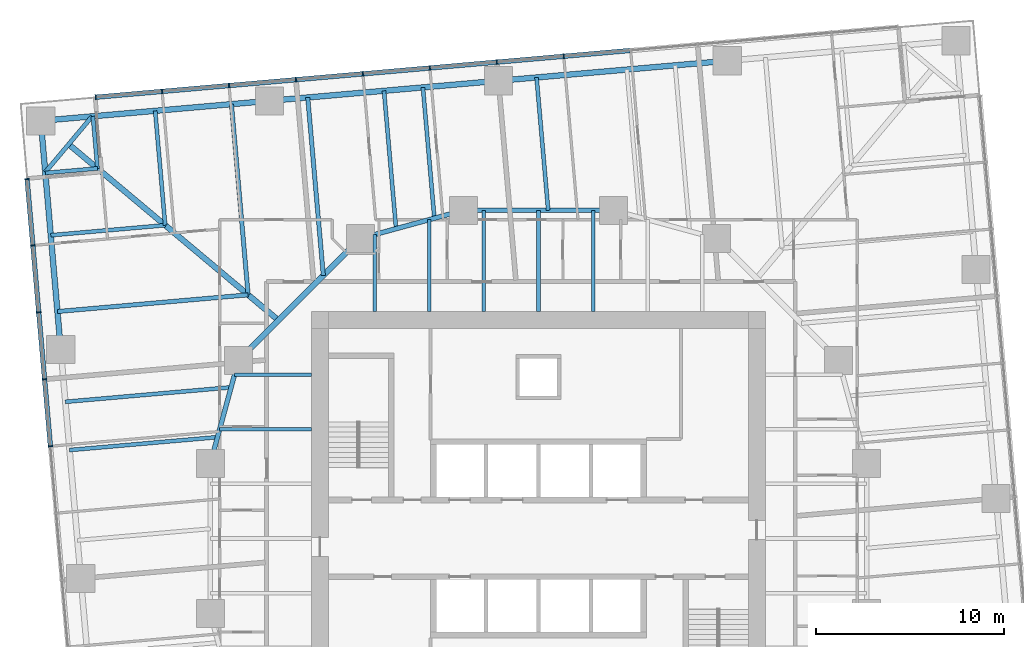
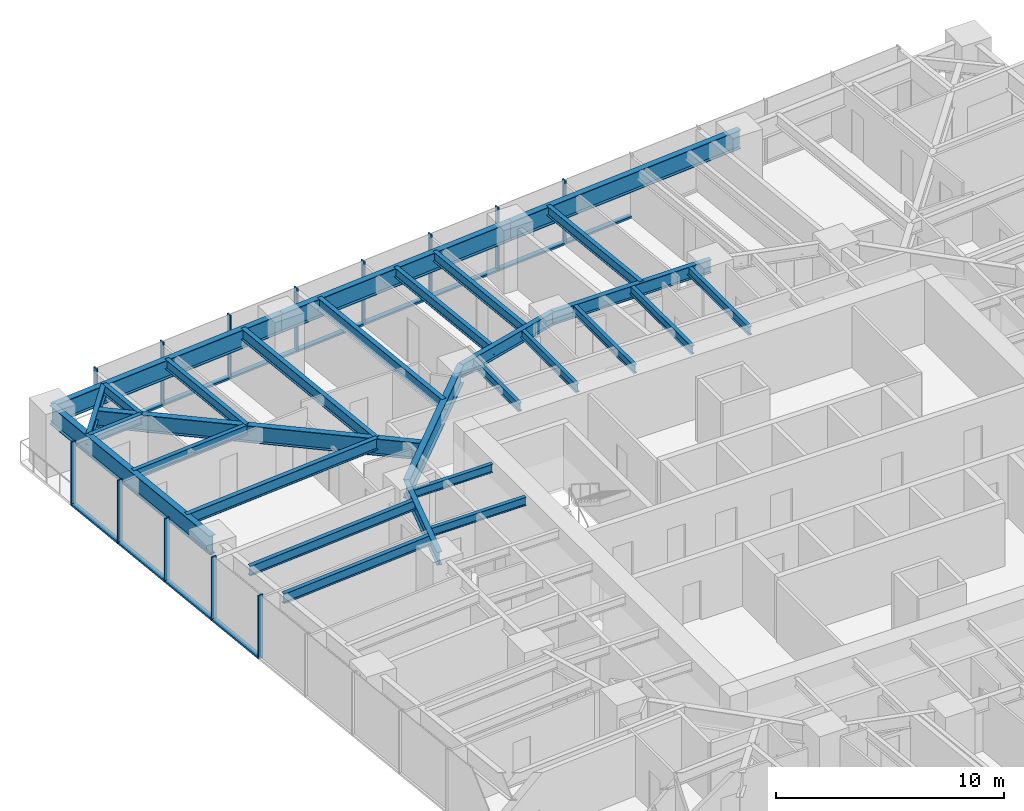
# One storey, part 5 of 14: 29 beams, 25 members, 2 elements without a shape of their own.
"""IFC4 building model written with IfcOpenShell, lengths in metres."""

from ifc_helpers import new_model, si_unit, direction, frame, origin, origin_2d, place, context, subcontext, project, spatial, rectangle, i_section, extrude, material, material_profile, profile_set, type_object, element, aggregate, save


model = new_model("IFC4")

# Units and contexts
model_context = context("Model", 3, precision=1e-05, world=origin(), true_north=direction((0.0, 1.0)))
body_context = subcontext(model_context, "Body", "Model", "MODEL_VIEW")
ifc_project = project(units=[si_unit("LENGTHUNIT", "METRE"), si_unit("AREAUNIT", "SQUARE_METRE"), si_unit("VOLUMEUNIT", "CUBIC_METRE"), si_unit("PLANEANGLEUNIT", "RADIAN"), si_unit("MASSUNIT", "GRAM", prefix="KILO")], contexts=[model_context])

# Site, building, storey
site_placement = place(None, origin())
site = spatial("IfcSite", under=ifc_project, at=site_placement, CompositionType="ELEMENT")
building_placement = place(site_placement, origin())
building = spatial("IfcBuilding", under=site, at=building_placement, Name="Torsade Residences", CompositionType="ELEMENT")
storey_placement = place(building_placement, frame((0.0, 0.0, 47.199951171875)))
storey = spatial("IfcBuildingStorey", under=building, at=storey_placement, Name="L12", CompositionType="ELEMENT", Elevation=47.199951171875)

# Beams
ifc_material_1 = material(Name="Steel grade 300", Category="steel")
ifc_material_profile_1 = material_profile(ifc_material_1, i_section(OverallWidth=0.300048828125, OverallDepth=0.89990234375, WebThickness=0.011962890625, FlangeThickness=0.02490234375, at=origin_2d()), Name="900WB175")
ifc_profile_set_1 = profile_set([ifc_material_profile_1], Name="Steel grade 300")
beam_type_1 = type_object("IfcBeamType", Name="CORNER GIRDER 900WB175", PredefinedType="BEAM", material=ifc_profile_set_1)
beam_1_placement = place(storey_placement, frame((14.947509765625, 51.021484375, 2.800048828125), z_axis=(0.766046281307, -0.642785419012, 0.0), x_axis=(0.642785419012, 0.766046281307, 0.0)))
element("IfcBeam", 1, at=beam_1_placement, inside=storey, type_object=beam_type_1, Name="Corner girder 13 L13", PredefinedType="BEAM", context=body_context, shape_type="SweptSolid", body=[
    extrude(i_section(OverallWidth=0.300048828125, OverallDepth=0.89990234375, WebThickness=0.011962890625, FlangeThickness=0.02490234375, at=origin_2d()), origin(), (0.0, 0.0, 1.0), 14.603515625),
])
ifc_material_2 = material(Name="Steel grade 300", Category="steel")
ifc_material_profile_2 = material_profile(ifc_material_2, i_section(OverallWidth=0.22802734375, OverallDepth=0.60205078125, WebThickness=0.010498046875, FlangeThickness=0.014892578125, FilletRadius=0.013916015625, at=origin_2d()), Name="610UB101")
ifc_profile_set_2 = profile_set([ifc_material_profile_2], Name="Steel grade 300")
beam_type_2 = type_object("IfcBeamType", Name="CORNER TRIMMER 610UB101", PredefinedType="BEAM", material=ifc_profile_set_2)
beam_2_placement = place(storey_placement, frame((13.697509765625, 49.531982421875, 2.948974609375), z_axis=(0.642804819911, 0.766030001697, 0.0), x_axis=(-0.766030001697, 0.642804819911, 0.0)))
element("IfcBeam", 2, at=beam_2_placement, inside=storey, type_object=beam_type_2, Name="Corner trimmer 13 L13", PredefinedType="BEAM", context=body_context, shape_type="SweptSolid", body=[
    extrude(i_section(OverallWidth=0.22802734375, OverallDepth=0.60205078125, WebThickness=0.010498046875, FlangeThickness=0.014892578125, FilletRadius=0.013916015625, at=origin_2d()), origin(), (0.0, 0.0, 1.0), 3.88916015625),
])

# Curtain wall, members
ifc_material_3 = material(Name="Aluminium and glass", Category="aluminium")
curtain_wall_type = type_object("IfcCurtainWallType", Name="FRITTED GLASS CURTAIN WALL LOW ZONE", PredefinedType="NOTDEFINED", material=ifc_material_3)
curtain_wall_1_placement = place(storey_placement, origin())
curtain_wall_1 = element("IfcCurtainWall", 3, at=curtain_wall_1_placement, inside=storey, type_object=curtain_wall_type, Name="Curtain wall L12 face 7", PredefinedType="NOTDEFINED")
ifc_material_4 = material(Name="Aluminium mullion", Category="aluminium")
ifc_material_profile_3 = material_profile(ifc_material_4, rectangle(XDim=0.25, YDim=0.06494140625, at=origin_2d()), Name="CURTAIN WALL MULLION 250x65")
ifc_profile_set_3 = profile_set([ifc_material_profile_3], Name="Aluminium mullion")
member_type_1 = type_object("IfcMemberType", Name="CURTAIN WALL MULLION 250x65", PredefinedType="MULLION", material=ifc_profile_set_3)
member_1_placement = place(storey_placement, frame((41.34716796875, 55.71533203125, 0.0), z_axis=(0.0, 0.0, 1.0), x_axis=(0.087155744208, -0.996194697964, 0.0)))
member_1 = element("IfcMember", 4, at=member_1_placement, type_object=member_type_1, Name="Mullion 6", PredefinedType="MULLION", context=body_context, shape_type="SweptSolid", body=[
    extrude(rectangle(XDim=0.25, YDim=0.06494140625, at=origin_2d()), origin(), (0.0, 0.0, 1.0), 3.400146484375),
])
member_2_placement = place(storey_placement, frame((37.777587890625, 55.403076171875, 0.0), z_axis=(0.0, 0.0, 1.0), x_axis=(0.087155744208, -0.996194697964, 0.0)))
member_2 = element("IfcMember", 5, at=member_2_placement, type_object=member_type_1, Name="Mullion 7", PredefinedType="MULLION", context=body_context, shape_type="SweptSolid", body=[
    extrude(rectangle(XDim=0.25, YDim=0.06494140625, at=origin_2d()), origin(), (0.0, 0.0, 1.0), 3.400146484375),
])
member_3_placement = place(storey_placement, frame((34.207763671875, 55.090576171875, 0.0), z_axis=(0.0, 0.0, 1.0), x_axis=(0.087155744208, -0.996194697964, 0.0)))
member_3 = element("IfcMember", 6, at=member_3_placement, type_object=member_type_1, Name="Mullion 8", PredefinedType="MULLION", context=body_context, shape_type="SweptSolid", body=[
    extrude(rectangle(XDim=0.25, YDim=0.06494140625, at=origin_2d()), origin(), (0.0, 0.0, 1.0), 3.400146484375),
])
member_4_placement = place(storey_placement, frame((30.63818359375, 54.7783203125, 0.0), z_axis=(0.0, 0.0, 1.0), x_axis=(0.087155744208, -0.996194697964, 0.0)))
member_4 = element("IfcMember", 7, at=member_4_placement, type_object=member_type_1, Name="Mullion 9", PredefinedType="MULLION", context=body_context, shape_type="SweptSolid", body=[
    extrude(rectangle(XDim=0.25, YDim=0.06494140625, at=origin_2d()), origin(), (0.0, 0.0, 1.0), 3.400146484375),
])
member_5_placement = place(storey_placement, frame((27.068359375, 54.466064453125, 0.0), z_axis=(0.0, 0.0, 1.0), x_axis=(0.087155744208, -0.996194697964, 0.0)))
member_5 = element("IfcMember", 8, at=member_5_placement, type_object=member_type_1, Name="Mullion 10", PredefinedType="MULLION", context=body_context, shape_type="SweptSolid", body=[
    extrude(rectangle(XDim=0.25, YDim=0.06494140625, at=origin_2d()), origin(), (0.0, 0.0, 1.0), 3.400146484375),
])
member_6_placement = place(storey_placement, frame((23.498779296875, 54.15380859375, 0.0), z_axis=(0.0, 0.0, 1.0), x_axis=(0.087155744208, -0.996194697964, 0.0)))
member_6 = element("IfcMember", 9, at=member_6_placement, type_object=member_type_1, Name="Mullion 11", PredefinedType="MULLION", context=body_context, shape_type="SweptSolid", body=[
    extrude(rectangle(XDim=0.25, YDim=0.06494140625, at=origin_2d()), origin(), (0.0, 0.0, 1.0), 3.400146484375),
])
member_7_placement = place(storey_placement, frame((19.928955078125, 53.84130859375, 0.0), z_axis=(0.0, 0.0, 1.0), x_axis=(0.087155744208, -0.996194697964, 0.0)))
member_7 = element("IfcMember", 10, at=member_7_placement, type_object=member_type_1, Name="Mullion 12", PredefinedType="MULLION", context=body_context, shape_type="SweptSolid", body=[
    extrude(rectangle(XDim=0.25, YDim=0.06494140625, at=origin_2d()), origin(), (0.0, 0.0, 1.0), 3.400146484375),
])
member_8_placement = place(storey_placement, frame((16.3916015625, 53.531982421875, 0.0), z_axis=(0.0, 0.0, 1.0), x_axis=(0.087155744208, -0.996194697964, 0.0)))
member_8 = element("IfcMember", 11, at=member_8_placement, type_object=member_type_1, Name="Mullion 13", PredefinedType="MULLION", context=body_context, shape_type="SweptSolid", body=[
    extrude(rectangle(XDim=0.25, YDim=0.06494140625, at=origin_2d()), origin(), (0.0, 0.0, 1.0), 3.400146484375),
])

curtain_wall_2_placement = place(storey_placement, origin())
curtain_wall_2 = element("IfcCurtainWall", 12, at=curtain_wall_2_placement, inside=storey, type_object=curtain_wall_type, Name="Curtain wall L12 face 10", PredefinedType="NOTDEFINED")
member_9_placement = place(storey_placement, frame((12.72607421875, 49.163330078125, 0.0), z_axis=(0.0, 0.0, 1.0), x_axis=(0.996194697964, 0.087155744208, 0.0)))
member_9 = element("IfcMember", 13, at=member_9_placement, type_object=member_type_1, Name="Mullion 1", PredefinedType="MULLION", context=body_context, shape_type="SweptSolid", body=[
    extrude(rectangle(XDim=0.25, YDim=0.06494140625, at=origin_2d()), origin(), (0.0, 0.0, 1.0), 3.400146484375),
])
member_10_placement = place(storey_placement, frame((13.035400390625, 45.6259765625, 0.0), z_axis=(0.0, 0.0, 1.0), x_axis=(0.996194697964, 0.087155744208, 0.0)))
member_10 = element("IfcMember", 14, at=member_10_placement, type_object=member_type_1, Name="Mullion 2", PredefinedType="MULLION", context=body_context, shape_type="SweptSolid", body=[
    extrude(rectangle(XDim=0.25, YDim=0.06494140625, at=origin_2d()), origin(), (0.0, 0.0, 1.0), 3.400146484375),
])
member_11_placement = place(storey_placement, frame((13.347900390625, 42.056396484375, 0.0), z_axis=(0.0, 0.0, 1.0), x_axis=(0.996194697964, 0.087155744208, 0.0)))
member_11 = element("IfcMember", 15, at=member_11_placement, type_object=member_type_1, Name="Mullion 3", PredefinedType="MULLION", context=body_context, shape_type="SweptSolid", body=[
    extrude(rectangle(XDim=0.25, YDim=0.06494140625, at=origin_2d()), origin(), (0.0, 0.0, 1.0), 3.400146484375),
])
member_12_placement = place(storey_placement, frame((13.66015625, 38.486572265625, 0.0), z_axis=(0.0, 0.0, 1.0), x_axis=(0.996194697964, 0.087155744208, 0.0)))
member_12 = element("IfcMember", 16, at=member_12_placement, type_object=member_type_1, Name="Mullion 4", PredefinedType="MULLION", context=body_context, shape_type="SweptSolid", body=[
    extrude(rectangle(XDim=0.25, YDim=0.06494140625, at=origin_2d()), origin(), (0.0, 0.0, 1.0), 3.400146484375),
])
member_13_placement = place(storey_placement, frame((13.972412109375, 34.9169921875, 0.0), z_axis=(0.0, 0.0, 1.0), x_axis=(0.996194697964, 0.087155744208, 0.0)))
member_13 = element("IfcMember", 17, at=member_13_placement, type_object=member_type_1, Name="Mullion 5", PredefinedType="MULLION", context=body_context, shape_type="SweptSolid", body=[
    extrude(rectangle(XDim=0.25, YDim=0.06494140625, at=origin_2d()), origin(), (0.0, 0.0, 1.0), 3.400146484375),
])

# Member
ifc_material_5 = material(Name="Aluminium transom", Category="aluminium")
ifc_material_profile_4 = material_profile(ifc_material_5, rectangle(XDim=0.25, YDim=0.10009765625, at=origin_2d()), Name="CURTAIN WALL TRANSOM 250x100")
ifc_profile_set_4 = profile_set([ifc_material_profile_4], Name="Aluminium transom")
member_type_2 = type_object("IfcMemberType", Name="CURTAIN WALL TRANSOM 250x100", PredefinedType="USERDEFINED", material=ifc_profile_set_4)
member_14_placement = place(storey_placement, frame((44.884521484375, 56.024658203125, 0.050048828125), z_axis=(-0.996194621295, -0.087156620531, 0.0), x_axis=(0.087156620531, -0.996194621295, 0.0)))
member_14 = element("IfcMember", 18, at=member_14_placement, type_object=member_type_2, Name="Transom 5.1", ObjectType="TRANSOM", PredefinedType="USERDEFINED", context=body_context, shape_type="SweptSolid", body=[
    extrude(rectangle(XDim=0.25, YDim=0.10009765625, at=origin_2d()), origin(), (0.0, 0.0, 1.0), 3.518310546875),
])

member_15_placement = place(storey_placement, frame((41.31494140625, 55.71240234375, 0.050048828125), z_axis=(-0.996195148363, -0.08715059597, 0.0), x_axis=(0.08715059597, -0.996195148363, 0.0)))
member_15 = element("IfcMember", 19, at=member_15_placement, type_object=member_type_2, Name="Transom 6.1", ObjectType="TRANSOM", PredefinedType="USERDEFINED", context=body_context, shape_type="SweptSolid", body=[
    extrude(rectangle(XDim=0.25, YDim=0.10009765625, at=origin_2d()), origin(), (0.0, 0.0, 1.0), 3.5185546875),
])

member_16_placement = place(storey_placement, frame((37.7451171875, 55.400146484375, 0.050048828125), z_axis=(-0.996194621295, -0.087156620531, 0.0), x_axis=(0.087156620531, -0.996194621295, 0.0)))
member_16 = element("IfcMember", 20, at=member_16_placement, type_object=member_type_2, Name="Transom 7.1", ObjectType="TRANSOM", PredefinedType="USERDEFINED", context=body_context, shape_type="SweptSolid", body=[
    extrude(rectangle(XDim=0.25, YDim=0.10009765625, at=origin_2d()), origin(), (0.0, 0.0, 1.0), 3.518310546875),
])

member_17_placement = place(storey_placement, frame((34.175537109375, 55.087890625, 0.050048828125), z_axis=(-0.996195148363, -0.08715059597, 0.0), x_axis=(0.08715059597, -0.996195148363, 0.0)))
member_17 = element("IfcMember", 21, at=member_17_placement, type_object=member_type_2, Name="Transom 8.1", ObjectType="TRANSOM", PredefinedType="USERDEFINED", context=body_context, shape_type="SweptSolid", body=[
    extrude(rectangle(XDim=0.25, YDim=0.10009765625, at=origin_2d()), origin(), (0.0, 0.0, 1.0), 3.5185546875),
])

member_18_placement = place(storey_placement, frame((30.605712890625, 54.775634765625, 0.050048828125), z_axis=(-0.996194621295, -0.087156620531, 0.0), x_axis=(0.087156620531, -0.996194621295, 0.0)))
member_18 = element("IfcMember", 22, at=member_18_placement, type_object=member_type_2, Name="Transom 9.1", ObjectType="TRANSOM", PredefinedType="USERDEFINED", context=body_context, shape_type="SweptSolid", body=[
    extrude(rectangle(XDim=0.25, YDim=0.10009765625, at=origin_2d()), origin(), (0.0, 0.0, 1.0), 3.518310546875),
])

member_19_placement = place(storey_placement, frame((27.0361328125, 54.463134765625, 0.050048828125), z_axis=(-0.996195148363, -0.08715059597, 0.0), x_axis=(0.08715059597, -0.996195148363, 0.0)))
member_19 = element("IfcMember", 23, at=member_19_placement, type_object=member_type_2, Name="Transom 10.1", ObjectType="TRANSOM", PredefinedType="USERDEFINED", context=body_context, shape_type="SweptSolid", body=[
    extrude(rectangle(XDim=0.25, YDim=0.10009765625, at=origin_2d()), origin(), (0.0, 0.0, 1.0), 3.5185546875),
])

member_20_placement = place(storey_placement, frame((23.46630859375, 54.15087890625, 0.050048828125), z_axis=(-0.996194621295, -0.087156620531, 0.0), x_axis=(0.087156620531, -0.996194621295, 0.0)))
member_20 = element("IfcMember", 24, at=member_20_placement, type_object=member_type_2, Name="Transom 11.1", ObjectType="TRANSOM", PredefinedType="USERDEFINED", context=body_context, shape_type="SweptSolid", body=[
    extrude(rectangle(XDim=0.25, YDim=0.10009765625, at=origin_2d()), origin(), (0.0, 0.0, 1.0), 3.518310546875),
])

member_21_placement = place(storey_placement, frame((19.896728515625, 53.838623046875, 0.050048828125), z_axis=(-0.996191284475, -0.08719475177, 0.0), x_axis=(0.08719475177, -0.996191284475, 0.0)))
member_21 = element("IfcMember", 25, at=member_21_placement, type_object=member_type_2, Name="Transom 12.1", ObjectType="TRANSOM", PredefinedType="USERDEFINED", context=body_context, shape_type="SweptSolid", body=[
    extrude(rectangle(XDim=0.25, YDim=0.10009765625, at=origin_2d()), origin(), (0.0, 0.0, 1.0), 3.48583984375),
])

aggregate(curtain_wall_1, [member_1, member_2, member_3, member_4, member_5, member_6, member_7, member_8, member_14, member_15, member_16, member_17, member_18, member_19, member_20, member_21])

member_22_placement = place(storey_placement, frame((12.728759765625, 49.130859375, 0.050048828125), z_axis=(0.0872008357, -0.996190751941, 0.0), x_axis=(0.996190751941, 0.0872008357, 0.0)))
member_22 = element("IfcMember", 26, at=member_22_placement, type_object=member_type_2, Name="Transom 1.1", ObjectType="TRANSOM", PredefinedType="USERDEFINED", context=body_context, shape_type="SweptSolid", body=[
    extrude(rectangle(XDim=0.25, YDim=0.10009765625, at=origin_2d()), origin(), (0.0, 0.0, 1.0), 3.485595703125),
])

member_23_placement = place(storey_placement, frame((13.038330078125, 45.59375, 0.050048828125), z_axis=(0.08715059597, -0.996195148363, 0.0), x_axis=(0.996195148363, 0.08715059597, 0.0)))
member_23 = element("IfcMember", 27, at=member_23_placement, type_object=member_type_2, Name="Transom 2.1", ObjectType="TRANSOM", PredefinedType="USERDEFINED", context=body_context, shape_type="SweptSolid", body=[
    extrude(rectangle(XDim=0.25, YDim=0.10009765625, at=origin_2d()), origin(), (0.0, 0.0, 1.0), 3.5185546875),
])

member_24_placement = place(storey_placement, frame((13.3505859375, 42.02392578125, 0.050048828125), z_axis=(0.087156620531, -0.996194621295, 0.0), x_axis=(0.996194621295, 0.087156620531, 0.0)))
member_24 = element("IfcMember", 28, at=member_24_placement, type_object=member_type_2, Name="Transom 3.1", ObjectType="TRANSOM", PredefinedType="USERDEFINED", context=body_context, shape_type="SweptSolid", body=[
    extrude(rectangle(XDim=0.25, YDim=0.10009765625, at=origin_2d()), origin(), (0.0, 0.0, 1.0), 3.518310546875),
])

member_25_placement = place(storey_placement, frame((13.662841796875, 38.454345703125, 0.050048828125), z_axis=(0.08715059597, -0.996195148363, 0.0), x_axis=(0.996195148363, 0.08715059597, 0.0)))
member_25 = element("IfcMember", 29, at=member_25_placement, type_object=member_type_2, Name="Transom 4.1", ObjectType="TRANSOM", PredefinedType="USERDEFINED", context=body_context, shape_type="SweptSolid", body=[
    extrude(rectangle(XDim=0.25, YDim=0.10009765625, at=origin_2d()), origin(), (0.0, 0.0, 1.0), 3.5185546875),
])

aggregate(curtain_wall_2, [member_9, member_10, member_11, member_12, member_13, member_22, member_23, member_24, member_25])

# Beams
ifc_material_6 = material(Name="Steel grade 300", Category="steel")
ifc_material_profile_5 = material_profile(ifc_material_6, i_section(OverallWidth=0.300048828125, OverallDepth=1.0, WebThickness=0.01611328125, FlangeThickness=0.028076171875, at=origin_2d()), Name="1000WB215")
ifc_profile_set_5 = profile_set([ifc_material_profile_5], Name="Steel grade 300")
beam_type_3 = type_object("IfcBeamType", Name="EDGE BEAM 1000WB215", PredefinedType="SPANDREL", material=ifc_profile_set_5)
for number, where, z_axis, x_axis, name in (
    (30, (50.068115234375, 55.474365234375, 2.75), (-0.996194907201, -0.08715335259, 0.0), (0.08715335259, -0.996194907201, 0.0), "Edge beam 10 L13"),
    (31, (37.86474609375, 54.40673828125, 2.75), (-0.996194907201, -0.08715335259, 0.0), (0.08715335259, -0.996194907201, 0.0), "Edge beam 11 L13"),
    (32, (25.661376953125, 53.339111328125, 2.75), (-0.996194907201, -0.08715335259, 0.0), (0.08715335259, -0.996194907201, 0.0), "Edge beam 12 L13"),
    (33, (13.4580078125, 52.271484375, 2.75), (0.08715335259, -0.996194907201, 0.0), (0.996194907201, 0.08715335259, 0.0), "Edge beam 13 L13"),
):
    element("IfcBeam", number, at=place(storey_placement, frame(where, z_axis=z_axis, x_axis=x_axis)), inside=storey, type_object=beam_type_3, Name=name, PredefinedType="SPANDREL", context=body_context, shape_type="SweptSolid", body=[
        extrude(i_section(OverallWidth=0.300048828125, OverallDepth=1.0, WebThickness=0.01611328125, FlangeThickness=0.028076171875, at=origin_2d()), origin(), (0.0, 0.0, 1.0), 12.25),
    ])
ifc_material_7 = material(Name="Steel grade 300", Category="steel")
ifc_material_profile_6 = material_profile(ifc_material_7, i_section(OverallWidth=0.18994140625, OverallDepth=0.4541015625, WebThickness=0.008544921875, FlangeThickness=0.0126953125, FilletRadius=0.011474609375, at=origin_2d()), Name="460UB67.1")
ifc_profile_set_6 = profile_set([ifc_material_profile_6], Name="Steel grade 300")
beam_type_4 = type_object("IfcBeamType", Name="INNER FLOOR BEAM 460UB67.1", PredefinedType="JOIST", material=ifc_profile_set_6)
beam_3_placement = place(storey_placement, frame((31.262451171875, 42.10009765625, 3.02294921875), z_axis=(0.0, 1.0, 0.0), x_axis=(-1.0, 0.0, 0.0)))
element("IfcBeam", 34, at=beam_3_placement, inside=storey, type_object=beam_type_4, Name="Inner floor beam IN01 L13", PredefinedType="JOIST", context=body_context, shape_type="SweptSolid", body=[
    extrude(i_section(OverallWidth=0.18994140625, OverallDepth=0.4541015625, WebThickness=0.008544921875, FlangeThickness=0.0126953125, FilletRadius=0.011474609375, at=origin_2d()), origin(), (0.0, 0.0, 1.0), 4.10791015625),
])
beam_4_placement = place(storey_placement, frame((34.175048828125, 42.10009765625, 3.02294921875), z_axis=(0.0, 1.0, 0.0), x_axis=(-1.0, 0.0, 0.0)))
element("IfcBeam", 35, at=beam_4_placement, inside=storey, type_object=beam_type_4, Name="Inner floor beam IN02 L13", PredefinedType="JOIST", context=body_context, shape_type="SweptSolid", body=[
    extrude(i_section(OverallWidth=0.18994140625, OverallDepth=0.4541015625, WebThickness=0.008544921875, FlangeThickness=0.0126953125, FilletRadius=0.011474609375, at=origin_2d()), origin(), (0.0, 0.0, 1.0), 4.902099609375),
])
for number, where, z_axis, x_axis, name in (
    (36, (37.08740234375, 42.10009765625, 3.02294921875), (0.0, 1.0, 0.0), (-1.0, 0.0, 0.0), "Inner floor beam IN03 L13"),
    (37, (40.0, 42.10009765625, 3.02294921875), (0.0, 1.0, 0.0), (-1.0, 0.0, 0.0), "Inner floor beam IN04 L13"),
    (38, (42.91259765625, 42.10009765625, 3.02294921875), (0.0, 1.0, 0.0), (-1.0, 0.0, 0.0), "Inner floor beam IN05 L13"),
):
    element("IfcBeam", number, at=place(storey_placement, frame(where, z_axis=z_axis, x_axis=x_axis)), inside=storey, type_object=beam_type_4, Name=name, PredefinedType="JOIST", context=body_context, shape_type="SweptSolid", body=[
        extrude(i_section(OverallWidth=0.18994140625, OverallDepth=0.4541015625, WebThickness=0.008544921875, FlangeThickness=0.0126953125, FilletRadius=0.011474609375, at=origin_2d()), origin(), (0.0, 0.0, 1.0), 5.39990234375),
    ])
beam_5_placement = place(storey_placement, frame((27.89990234375, 38.737548828125, 3.02294921875), z_axis=(-1.0, 0.0, 0.0), x_axis=(0.0, -1.0, 0.0)))
element("IfcBeam", 39, at=beam_5_placement, inside=storey, type_object=beam_type_4, Name="Inner floor beam IW01 L13", PredefinedType="JOIST", context=body_context, shape_type="SweptSolid", body=[
    extrude(i_section(OverallWidth=0.18994140625, OverallDepth=0.4541015625, WebThickness=0.008544921875, FlangeThickness=0.0126953125, FilletRadius=0.011474609375, at=origin_2d()), origin(), (0.0, 0.0, 1.0), 4.10791015625),
])
beam_6_placement = place(storey_placement, frame((27.89990234375, 35.824951171875, 3.02294921875), z_axis=(-1.0, 0.0, 0.0), x_axis=(0.0, -1.0, 0.0)))
element("IfcBeam", 40, at=beam_6_placement, inside=storey, type_object=beam_type_4, Name="Inner floor beam IW02 L13", PredefinedType="JOIST", context=body_context, shape_type="SweptSolid", body=[
    extrude(i_section(OverallWidth=0.18994140625, OverallDepth=0.4541015625, WebThickness=0.008544921875, FlangeThickness=0.0126953125, FilletRadius=0.011474609375, at=origin_2d()), origin(), (0.0, 0.0, 1.0), 4.902099609375),
])
ifc_material_8 = material(Name="Steel grade 300", Category="steel")
ifc_material_profile_7 = material_profile(ifc_material_8, i_section(OverallWidth=0.300048828125, OverallDepth=1.0, WebThickness=0.01611328125, FlangeThickness=0.028076171875, at=origin_2d()), Name="1000WB215")
ifc_profile_set_7 = profile_set([ifc_material_profile_7], Name="Steel grade 300")
beam_type_5 = type_object("IfcBeamType", Name="RING CORNER GIRDER 1000WB215", PredefinedType="BEAM", material=ifc_profile_set_7)
beam_7_placement = place(storey_placement, frame((30.5, 46.0, 2.75), z_axis=(-0.707106781187, -0.707106781187, 0.0), x_axis=(0.707106781187, -0.707106781187, 0.0)))
element("IfcBeam", 41, at=beam_7_placement, inside=storey, type_object=beam_type_5, Name="Ring girder IR07 L13", PredefinedType="BEAM", context=body_context, shape_type="SweptSolid", body=[
    extrude(i_section(OverallWidth=0.300048828125, OverallDepth=1.0, WebThickness=0.01611328125, FlangeThickness=0.028076171875, at=origin_2d()), origin(), (0.0, 0.0, 1.0), 9.1923828125),
])
ifc_material_9 = material(Name="Steel grade 300", Category="steel")
ifc_material_profile_8 = material_profile(ifc_material_9, i_section(OverallWidth=0.25, OverallDepth=0.699951171875, WebThickness=0.010009765625, FlangeThickness=0.02001953125, at=origin_2d()), Name="700WB130")
ifc_profile_set_8 = profile_set([ifc_material_profile_8], Name="Steel grade 300")
beam_type_6 = type_object("IfcBeamType", Name="RING GIRDER 700WB130", PredefinedType="BEAM", material=ifc_profile_set_8)
beam_8_placement = place(storey_placement, frame((44.0, 47.5, 2.900146484375), z_axis=(-1.0, 0.0, 0.0), x_axis=(0.0, -1.0, 0.0)))
element("IfcBeam", 42, at=beam_8_placement, inside=storey, type_object=beam_type_6, Name="Ring girder IR05 L13", PredefinedType="BEAM", context=body_context, shape_type="SweptSolid", body=[
    extrude(i_section(OverallWidth=0.25, OverallDepth=0.699951171875, WebThickness=0.010009765625, FlangeThickness=0.02001953125, at=origin_2d()), origin(), (0.0, 0.0, 1.0), 8.0),
])
for number, where, z_axis, x_axis, name in (
    (43, (36.0, 47.5, 2.900146484375), (-0.964763821238, -0.263117405792, 0.0), (0.263117405792, -0.964763821238, 0.0), "Ring girder IR06 L13"),
    (44, (24.0, 39.5, 2.900146484375), (-0.263117405792, -0.964763821238, 0.0), (0.964763821238, -0.263117405792, 0.0), "Ring girder IR08 L13"),
):
    element("IfcBeam", number, at=place(storey_placement, frame(where, z_axis=z_axis, x_axis=x_axis)), inside=storey, type_object=beam_type_6, Name=name, PredefinedType="BEAM", context=body_context, shape_type="SweptSolid", body=[
        extrude(i_section(OverallWidth=0.25, OverallDepth=0.699951171875, WebThickness=0.010009765625, FlangeThickness=0.02001953125, at=origin_2d()), origin(), (0.0, 0.0, 1.0), 5.700927734375),
    ])
ifc_material_10 = material(Name="Steel grade 300", Category="steel")
ifc_material_profile_9 = material_profile(ifc_material_10, i_section(OverallWidth=0.208984375, OverallDepth=0.528076171875, WebThickness=0.009521484375, FlangeThickness=0.01318359375, FilletRadius=0.013916015625, at=origin_2d()), Name="530UB82.0")
ifc_profile_set_9 = profile_set([ifc_material_profile_9], Name="Steel grade 300")
beam_type_7 = type_object("IfcBeamType", Name="SECONDARY BEAM 530UB82.0", PredefinedType="JOIST", material=ifc_profile_set_9)
beam_9_placement = place(storey_placement, frame((39.898681640625, 54.584716796875, 2.986083984375), z_axis=(0.087127345813, -0.996197182094, 0.0), x_axis=(0.996197182094, 0.087127345813, 0.0)))
element("IfcBeam", 45, at=beam_9_placement, inside=storey, type_object=beam_type_7, Name="Floor beam FN06 L13", PredefinedType="JOIST", context=body_context, shape_type="SweptSolid", body=[
    extrude(i_section(OverallWidth=0.208984375, OverallDepth=0.528076171875, WebThickness=0.009521484375, FlangeThickness=0.01318359375, FilletRadius=0.013916015625, at=origin_2d()), origin(), (0.0, 0.0, 1.0), 7.11181640625),
])
beam_10_placement = place(storey_placement, frame((33.83837890625, 54.054443359375, 2.986083984375), z_axis=(0.087175598142, -0.99619296077, 0.0), x_axis=(0.99619296077, 0.087175598142, 0.0)))
element("IfcBeam", 46, at=beam_10_placement, inside=storey, type_object=beam_type_7, Name="Floor beam FN07 L13", PredefinedType="JOIST", context=body_context, shape_type="SweptSolid", body=[
    extrude(i_section(OverallWidth=0.208984375, OverallDepth=0.528076171875, WebThickness=0.009521484375, FlangeThickness=0.01318359375, FilletRadius=0.013916015625, at=origin_2d()), origin(), (0.0, 0.0, 1.0), 7.004150390625),
])
beam_11_placement = place(storey_placement, frame((31.762939453125, 53.873046875, 2.986083984375), z_axis=(0.087156282128, -0.996194650902, 0.0), x_axis=(0.996194650902, 0.087156282128, 0.0)))
element("IfcBeam", 47, at=beam_11_placement, inside=storey, type_object=beam_type_7, Name="Floor beam FN08 L13", PredefinedType="JOIST", context=body_context, shape_type="SweptSolid", body=[
    extrude(i_section(OverallWidth=0.208984375, OverallDepth=0.528076171875, WebThickness=0.009521484375, FlangeThickness=0.01318359375, FilletRadius=0.013916015625, at=origin_2d()), origin(), (0.0, 0.0, 1.0), 7.381103515625),
])
beam_12_placement = place(storey_placement, frame((19.5595703125, 52.80517578125, 2.986083984375), z_axis=(0.087174861801, -0.996193025206, 0.0), x_axis=(0.996193025206, 0.087174861801, 0.0)))
element("IfcBeam", 48, at=beam_12_placement, inside=storey, type_object=beam_type_7, Name="Floor beam FN11 L13", PredefinedType="JOIST", context=body_context, shape_type="SweptSolid", body=[
    extrude(i_section(OverallWidth=0.208984375, OverallDepth=0.528076171875, WebThickness=0.009521484375, FlangeThickness=0.01318359375, FilletRadius=0.013916015625, at=origin_2d()), origin(), (0.0, 0.0, 1.0), 6.125),
])
for number, where, z_axis, x_axis, name in (
    (49, (16.239013671875, 52.5146484375, 2.986083984375), (0.087105111923, -0.996199126418, 0.0), (0.996199126418, 0.087105111923, 0.0), "Floor beam FN12 L13"),
    (50, (13.701171875, 49.490478515625, 2.986083984375), (0.996199126418, 0.087105111923, 0.0), (-0.087105111923, 0.996199126418, 0.0), "Floor beam FW01 L13"),
):
    element("IfcBeam", number, at=place(storey_placement, frame(where, z_axis=z_axis, x_axis=x_axis)), inside=storey, type_object=beam_type_7, Name=name, PredefinedType="JOIST", context=body_context, shape_type="SweptSolid", body=[
        extrude(i_section(OverallWidth=0.208984375, OverallDepth=0.528076171875, WebThickness=0.009521484375, FlangeThickness=0.01318359375, FilletRadius=0.013916015625, at=origin_2d()), origin(), (0.0, 0.0, 1.0), 2.79150390625),
    ])
beam_13_placement = place(storey_placement, frame((13.99169921875, 46.169677734375, 2.986083984375), z_axis=(0.996193328106, 0.087171400335, 0.0), x_axis=(-0.087171400335, 0.996193328106, 0.0)))
element("IfcBeam", 51, at=beam_13_placement, inside=storey, type_object=beam_type_7, Name="Floor beam FW02 L13", PredefinedType="JOIST", context=body_context, shape_type="SweptSolid", body=[
    extrude(i_section(OverallWidth=0.208984375, OverallDepth=0.528076171875, WebThickness=0.009521484375, FlangeThickness=0.01318359375, FilletRadius=0.013916015625, at=origin_2d()), origin(), (0.0, 0.0, 1.0), 6.125244140625),
])
beam_14_placement = place(storey_placement, frame((14.768798828125, 37.287109375, 2.986083984375), z_axis=(0.996195539225, 0.08714612802, 0.0), x_axis=(-0.08714612802, 0.996195539225, 0.0)))
element("IfcBeam", 52, at=beam_14_placement, inside=storey, type_object=beam_type_7, Name="Floor beam FW04 L13", PredefinedType="JOIST", context=body_context, shape_type="SweptSolid", body=[
    extrude(i_section(OverallWidth=0.208984375, OverallDepth=0.528076171875, WebThickness=0.009521484375, FlangeThickness=0.01318359375, FilletRadius=0.013916015625, at=origin_2d()), origin(), (0.0, 0.0, 1.0), 8.872314453125),
])
beam_15_placement = place(storey_placement, frame((14.994140625, 34.713623046875, 2.986083984375), z_axis=(0.996194520605, 0.087157771408, 0.0), x_axis=(-0.087157771408, 0.996194520605, 0.0)))
element("IfcBeam", 53, at=beam_15_placement, inside=storey, type_object=beam_type_7, Name="Floor beam FW05 L13", PredefinedType="JOIST", context=body_context, shape_type="SweptSolid", body=[
    extrude(i_section(OverallWidth=0.208984375, OverallDepth=0.528076171875, WebThickness=0.009521484375, FlangeThickness=0.01318359375, FilletRadius=0.013916015625, at=origin_2d()), origin(), (0.0, 0.0, 1.0), 7.918701171875),
])
ifc_material_11 = material(Name="Steel grade 300", Category="steel")
ifc_material_profile_10 = material_profile(ifc_material_11, i_section(OverallWidth=0.22900390625, OverallDepth=0.612060546875, WebThickness=0.011962890625, FlangeThickness=0.01953125, FilletRadius=0.013916015625, at=origin_2d()), Name="610UB125")
ifc_profile_set_10 = profile_set([ifc_material_profile_10], Name="Steel grade 300")
beam_type_8 = type_object("IfcBeamType", Name="SECONDARY BEAM 610UB125", PredefinedType="JOIST", material=ifc_profile_set_10)
beam_16_placement = place(storey_placement, frame((27.6953125, 53.51708984375, 2.944091796875), z_axis=(0.087148195942, -0.996195358323, 0.0), x_axis=(0.996195358323, 0.087148195942, 0.0)))
element("IfcBeam", 54, at=beam_16_placement, inside=storey, type_object=beam_type_8, Name="Floor beam FN09 L13", PredefinedType="JOIST", context=body_context, shape_type="SweptSolid", body=[
    extrude(i_section(OverallWidth=0.22900390625, OverallDepth=0.612060546875, WebThickness=0.011962890625, FlangeThickness=0.01953125, FilletRadius=0.013916015625, at=origin_2d()), origin(), (0.0, 0.0, 1.0), 9.527587890625),
])
for number, where, z_axis, x_axis, name in (
    (55, (23.62744140625, 53.1611328125, 2.944091796875), (0.087149742944, -0.996195222988, 0.0), (0.996195222988, 0.087149742944, 0.0), "Floor beam FN10 L13"),
    (56, (14.34765625, 42.10205078125, 2.944091796875), (0.996195222988, 0.087149742944, 0.0), (-0.087149742944, 0.996195222988, 0.0), "Floor beam FW03 L13"),
):
    element("IfcBeam", number, at=place(storey_placement, frame(where, z_axis=z_axis, x_axis=x_axis)), inside=storey, type_object=beam_type_8, Name=name, PredefinedType="JOIST", context=body_context, shape_type="SweptSolid", body=[
        extrude(i_section(OverallWidth=0.22900390625, OverallDepth=0.612060546875, WebThickness=0.011962890625, FlangeThickness=0.01953125, FilletRadius=0.013916015625, at=origin_2d()), origin(), (0.0, 0.0, 1.0), 10.208251953125),
    ])

save(model, "model.ifc")
